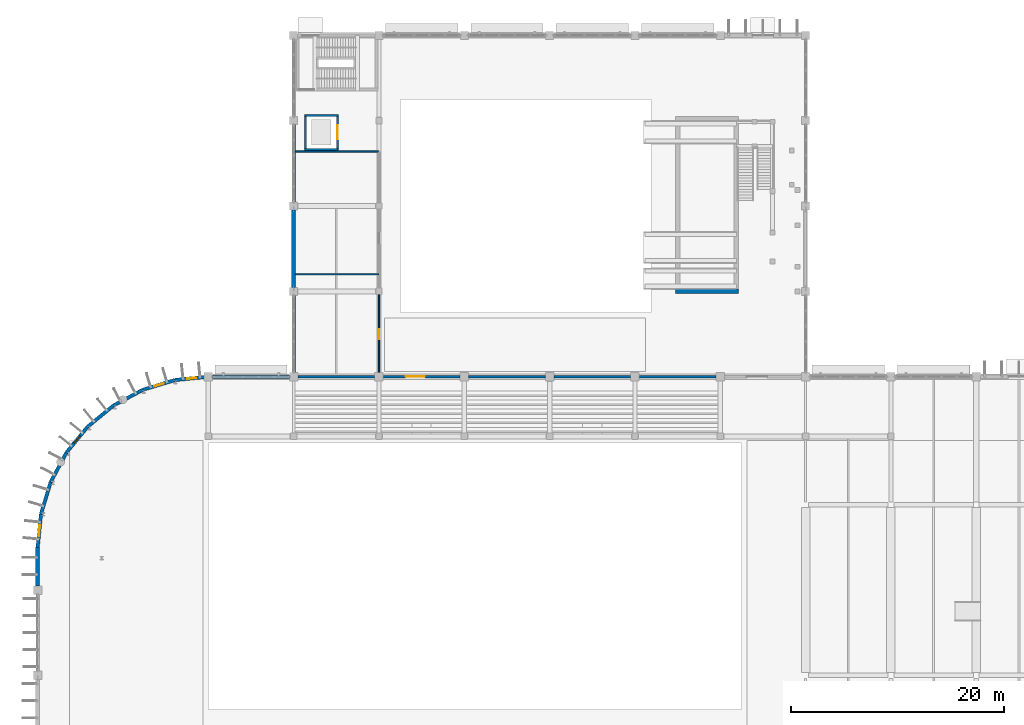
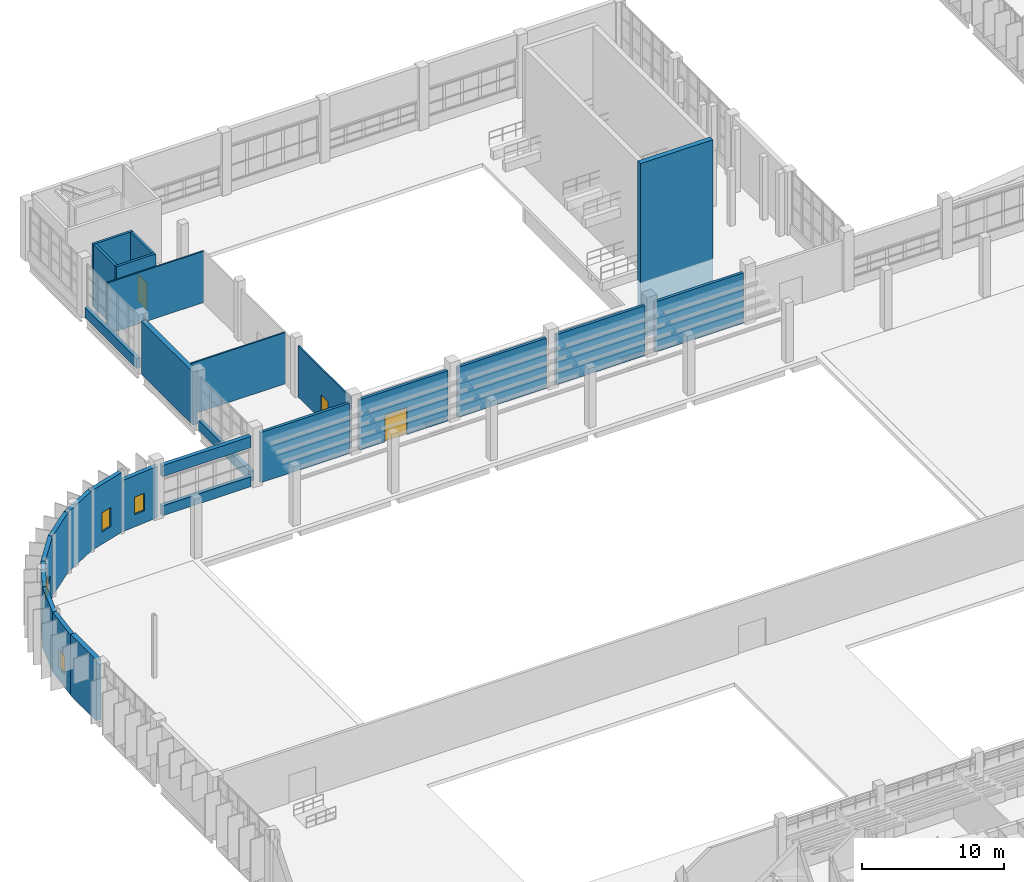
# One storey, part 76 of 103: 27 walls, 4 windows, 3 doors, 7 openings.
"""IFC4 building model written with IfcOpenShell, lengths in metres."""

from ifc_helpers import new_model, si_unit, direction, frame, frame_2d, origin, place, context, subcontext, project, spatial, rectangle, extrude, material, layer, layer_set, type_object, element, fill, save


model = new_model("IFC4")

# Units and contexts
model_context = context("Model", 3, precision=1e-05, world=origin(), true_north=direction((0.0, 1.0)))
body_context = subcontext(model_context, "Body", "Model", "MODEL_VIEW")
ifc_project = project(units=[si_unit("LENGTHUNIT", "METRE"), si_unit("AREAUNIT", "SQUARE_METRE"), si_unit("VOLUMEUNIT", "CUBIC_METRE"), si_unit("PLANEANGLEUNIT", "RADIAN"), si_unit("MASSUNIT", "GRAM", prefix="KILO")], contexts=[model_context])

# Site, building, storey
site_placement = place(None, origin())
site = spatial("IfcSite", under=ifc_project, at=site_placement, CompositionType="ELEMENT")
building_placement = place(site_placement, origin())
building = spatial("IfcBuilding", under=site, at=building_placement, Name="Drelvana Railside Aquatics Centre", CompositionType="ELEMENT")
storey_placement = place(building_placement, origin())
storey = spatial("IfcBuildingStorey", under=building, at=storey_placement, Name="L00", CompositionType="ELEMENT", Elevation=0.0)

# Wall
ifc_material_1 = material(Name="Autoclaved aerated concrete masonry", Category="masonry")
ifc_layer_1 = layer(ifc_material_1, 0.22509765625, Name="Autoclaved aerated concrete masonry")
ifc_layer_set_1 = layer_set([ifc_layer_1], Name="Autoclaved aerated concrete masonry")
wall_type_1 = type_object("IfcWallType", Name="WL-COMP-225", PredefinedType="STANDARD", material=ifc_layer_set_1)
wall_1_placement = place(storey_placement, frame((24.402099609375, 84.0, 0.0), z_axis=(0.0, 0.0, 1.0), x_axis=(1.0, 0.0, 0.0)))
element("IfcWall", 1, at=wall_1_placement, inside=storey, type_object=wall_type_1, Name="Pool-Diving Hall compartment wall", PredefinedType="STANDARD", context=body_context, shape_type="SweptSolid", body=[
    extrude(rectangle(XDim=7.19580078125, YDim=0.22509765625, at=frame_2d((3.597900390625, 0.0))), origin(), (0.0, 0.0, 1.0), 4.304931640625),
])

# Wall, opening, door
wall_2_placement = place(storey_placement, frame((32.402099609375, 84.0, 0.0), z_axis=(0.0, 0.0, 1.0), x_axis=(1.0, 0.0, 0.0)))
wall_2 = element("IfcWall", 2, at=wall_2_placement, inside=storey, type_object=wall_type_1, Name="Pool-Diving Hall compartment wall", PredefinedType="STANDARD", context=body_context, shape_type="SweptSolid", body=[
    extrude(rectangle(XDim=7.19580078125, YDim=0.22509765625, at=frame_2d((3.597900390625, 0.0))), origin(), (0.0, 0.0, 1.0), 4.304931640625),
])
opening_1_placement = place(wall_2_placement, frame((2.097900390625, 0.0, 0.0)))
opening_1 = element("IfcOpeningElement", 3, at=opening_1_placement, cuts=wall_2, Name="Opening D-05-096", PredefinedType="OPENING", context=body_context, shape_type="SweptSolid", body=[
    extrude(rectangle(XDim=1.800048828125, YDim=2.300048828125, at=frame_2d((0.89990234375, 1.14990234375))), frame((0.0, 0.12255859375, 0.0), z_axis=(0.0, -1.0, 0.0), x_axis=(1.0, 0.0, 0.0)), (0.0, 0.0, 1.0), 0.2451171875),
])
ifc_material_2 = material(Name="Corridor compartment double door", Category="wood")
door_type_1 = type_object("IfcDoorType", Name="DR-INT-COMP-1800x2300", OperationType="DOUBLE_DOOR_SINGLE_SWING", PredefinedType="DOOR", material=ifc_material_2)
door_1_placement = place(opening_1_placement, origin())
door_1 = element("IfcDoor", 4, at=door_1_placement, inside=storey, type_object=door_type_1, Name="Diving hall acoustic link door D-05-096", OperationType="DOUBLE_DOOR_SINGLE_SWING", OverallHeight=2.300048828125, OverallWidth=1.800048828125, PredefinedType="DOOR", context=body_context, shape_type="SweptSolid", body=[
    extrude(rectangle(XDim=1.800048828125, YDim=2.300048828125, at=frame_2d((0.89990234375, 1.14990234375))), frame((0.0, 0.02490234375, 0.0), z_axis=(0.0, -1.0, 0.0), x_axis=(1.0, 0.0, 0.0)), (0.0, 0.0, 1.0), 0.050048828125),
])
fill(opening_1, door_1)

# Walls
for number, where, z_axis, x_axis, name in (
    (5, (40.402099609375, 84.0, 0.0), (0.0, 0.0, 1.0), (1.0, 0.0, 0.0), "Pool-Diving Hall compartment wall"),
    (6, (48.402099609375, 84.0, 0.0), (0.0, 0.0, 1.0), (1.0, 0.0, 0.0), "Pool-Diving Hall compartment wall"),
    (7, (56.402099609375, 84.0, 0.0), (0.0, 0.0, 1.0), (1.0, 0.0, 0.0), "Pool-Diving Hall compartment wall"),
):
    element("IfcWall", number, at=place(storey_placement, frame(where, z_axis=z_axis, x_axis=x_axis)), inside=storey, type_object=wall_type_1, Name=name, PredefinedType="STANDARD", context=body_context, shape_type="SweptSolid", body=[
        extrude(rectangle(XDim=7.19580078125, YDim=0.22509765625, at=frame_2d((3.597900390625, 0.0))), origin(), (0.0, 0.0, 1.0), 4.304931640625),
    ])

# Wall, opening, door
ifc_material_3 = material(Name="Acoustic twin-stud gypsum partition", Category="gypsum")
ifc_layer_2 = layer(ifc_material_3, 0.1201171875, Name="Acoustic twin-stud gypsum partition")
ifc_layer_set_2 = layer_set([ifc_layer_2], Name="Acoustic twin-stud gypsum partition")
wall_type_2 = type_object("IfcWallType", Name="WL-DRY-120", PredefinedType="PARTITIONING", material=ifc_layer_set_2)
wall_3_placement = place(storey_placement, frame((32.0, 84.402099609375, 0.0), z_axis=(0.0, 0.0, 1.0), x_axis=(0.0, 1.0, 0.0)))
wall_3 = element("IfcWall", 8, at=wall_3_placement, inside=storey, type_object=wall_type_2, Name="Diving Hall west offices wall", PredefinedType="PARTITIONING", context=body_context, shape_type="SweptSolid", body=[
    extrude(rectangle(XDim=7.2958984375, YDim=0.1201171875, at=frame_2d((3.64794921875, 0.0))), origin(), (0.0, 0.0, 1.0), 4.405029296875),
])
opening_2_placement = place(wall_3_placement, frame((3.097900390625, 0.0, 0.0)))
opening_2 = element("IfcOpeningElement", 9, at=opening_2_placement, cuts=wall_3, Name="Opening D-10-134", PredefinedType="OPENING", context=body_context, shape_type="SweptSolid", body=[
    extrude(rectangle(XDim=0.949951171875, YDim=2.14990234375, at=frame_2d((0.47509765625, 1.074951171875))), frame((0.0, 0.070068359375, 0.0), z_axis=(0.0, -1.0, 0.0), x_axis=(1.0, 0.0, 0.0)), (0.0, 0.0, 1.0), 0.14013671875),
])
ifc_material_4 = material(Name="Timber veneer office door", Category="wood")
door_type_2 = type_object("IfcDoorType", Name="DR-INT-OFF-950x2150", OperationType="NOTDEFINED", PredefinedType="DOOR", material=ifc_material_4)
door_2_placement = place(opening_2_placement, origin())
door_2 = element("IfcDoor", 10, at=door_2_placement, inside=storey, type_object=door_type_2, Name="Dive Officials Room door D-10-134", OperationType="SINGLE_SWING_LEFT", OverallHeight=2.14990234375, OverallWidth=0.949951171875, PredefinedType="DOOR", context=body_context, shape_type="SweptSolid", body=[
    extrude(rectangle(XDim=0.949951171875, YDim=2.14990234375, at=frame_2d((0.47509765625, 1.074951171875))), frame((0.0, 0.02490234375, 0.0), z_axis=(0.0, -1.0, 0.0), x_axis=(1.0, 0.0, 0.0)), (0.0, 0.0, 1.0), 0.050048828125),
])
fill(opening_2, door_2)

# Walls
for number, where, z_axis, x_axis, name in (
    (11, (24.159912109375, 93.60009765625, 0.0), (0.0, 0.0, 1.0), (1.0, 0.0, 0.0), "Dive Officials-Timing divider"),
    (12, (24.159912109375, 105.10009765625, 0.0), (0.0, 0.0, 1.0), (1.0, 0.0, 0.0), "Timing Control north wall"),
):
    element("IfcWall", number, at=place(storey_placement, frame(where, z_axis=z_axis, x_axis=x_axis)), inside=storey, type_object=wall_type_2, Name=name, PredefinedType="PARTITIONING", context=body_context, shape_type="SweptSolid", body=[
        extrude(rectangle(XDim=7.840087890625, YDim=0.1201171875, at=frame_2d((3.919921875, 0.0))), origin(), (0.0, 0.0, 1.0), 4.405029296875),
    ])
ifc_material_5 = material(Name="Concrete C40/50", Category="concrete")
ifc_layer_3 = layer(ifc_material_5, 0.39990234375, Name="Concrete C40/50")
ifc_layer_set_3 = layer_set([ifc_layer_3], Name="Concrete C40/50")
wall_type_3 = type_object("IfcWallType", Name="WL-DV-400", PredefinedType="SHEAR", material=ifc_layer_set_3)
wall_4_placement = place(storey_placement, frame((59.800048828125, 92.0, -4.800048828125), z_axis=(0.0, 0.0, 1.0), x_axis=(1.0, 0.0, 0.0)))
element("IfcWall", 13, at=wall_4_placement, inside=storey, type_object=wall_type_3, Name="Diving platform tower S shear wall", PredefinedType="SHEAR", context=body_context, shape_type="SweptSolid", body=[
    extrude(rectangle(XDim=5.89990234375, YDim=0.39990234375, at=frame_2d((2.949951171875, 0.0))), origin(), (0.0, 0.0, 1.0), 15.0),
])
ifc_material_6 = material(Name="Terracotta rainscreen masonry wall", Category="masonry")
ifc_layer_4 = layer(ifc_material_6, 0.31005859375, Name="Terracotta rainscreen masonry wall")
ifc_layer_set_4 = layer_set([ifc_layer_4], Name="Terracotta rainscreen masonry wall")
wall_type_4 = type_object("IfcWallType", Name="WL-EXT-310", PredefinedType="STANDARD", material=ifc_layer_set_4)
wall_5_placement = place(storey_placement, frame((24.0, 84.39599609375, 0.0), z_axis=(0.0, 0.0, 1.0), x_axis=(0.0, 1.0, 0.0)))
element("IfcWall", 14, at=wall_5_placement, inside=storey, type_object=wall_type_4, Name="Diving Hall West plinth", PredefinedType="STANDARD", context=body_context, shape_type="SweptSolid", body=[
    extrude(rectangle(XDim=7.23291015625, YDim=0.31005859375, at=frame_2d((3.616455078125, 0.0))), origin(), (0.0, 0.0, 1.0), 0.85009765625),
])
wall_6_placement = place(storey_placement, frame((24.0, 100.37109375, 0.0), z_axis=(0.0, 0.0, 1.0), x_axis=(0.0, 1.0, 0.0)))
element("IfcWall", 15, at=wall_6_placement, inside=storey, type_object=wall_type_4, Name="Diving Hall West plinth", PredefinedType="STANDARD", context=body_context, shape_type="SweptSolid", body=[
    extrude(rectangle(XDim=7.2578125, YDim=0.31005859375, at=frame_2d((3.62890625, 0.0))), origin(), (0.0, 0.0, 1.0), 0.85009765625),
])
ifc_material_7 = material(Name="Abuja granite ashlar cavity wall", Category="masonry")
ifc_layer_5 = layer(ifc_material_7, 0.330078125, Name="Abuja granite ashlar cavity wall")
ifc_layer_set_5 = layer_set([ifc_layer_5], Name="Abuja granite ashlar cavity wall")
wall_type_5 = type_object("IfcWallType", Name="WL-EXT-330", PredefinedType="STANDARD", material=ifc_layer_set_5)
wall_7_placement = place(storey_placement, frame((16.39599609375, 84.0, 0.0), z_axis=(0.0, 0.0, 1.0), x_axis=(1.0, 0.0, 0.0)))
element("IfcWall", 16, at=wall_7_placement, inside=storey, type_object=wall_type_5, Name="V1N plinth wall 1", PredefinedType="STANDARD", context=body_context, shape_type="SweptSolid", body=[
    extrude(rectangle(XDim=7.2080078125, YDim=0.330078125, at=frame_2d((3.60400390625, 0.0))), origin(), (0.0, 0.0, 1.0), 0.85009765625),
])
wall_8_placement = place(storey_placement, frame((16.39599609375, 84.0, 3.35009765625), z_axis=(0.0, 0.0, 1.0), x_axis=(1.0, 0.0, 0.0)))
element("IfcWall", 17, at=wall_8_placement, inside=storey, type_object=wall_type_5, Name="V1N sine-wave spandrel 1", PredefinedType="STANDARD", context=body_context, shape_type="SweptSolid", body=[
    extrude(rectangle(XDim=7.2080078125, YDim=0.330078125, at=frame_2d((3.60400390625, 0.0))), origin(), (0.0, 0.0, 1.0), 0.954833984375),
])

# Wall, opening, window
wall_9_placement = place(storey_placement, frame((16.0, 84.0, 0.0), z_axis=(0.0, 0.0, 1.0), x_axis=(-0.995186340733, -0.098000751113, 0.0)))
wall_9 = element("IfcWall", 18, at=wall_9_placement, inside=storey, type_object=wall_type_5, Name="V1NW curved stone wall 1", PredefinedType="STANDARD", context=body_context, shape_type="SweptSolid", body=[
    extrude(rectangle(XDim=3.136474609375, YDim=0.330078125, at=frame_2d((1.568359375, 0.0))), origin(), (0.0, 0.0, 1.0), 4.405029296875),
])
opening_3_placement = place(wall_9_placement, frame((1.143310546875, 0.0, 1.050048828125)))
opening_3 = element("IfcOpeningElement", 19, at=opening_3_placement, cuts=wall_9, Name="Opening W-01", PredefinedType="OPENING", context=body_context, shape_type="SweptSolid", body=[
    extrude(rectangle(XDim=0.85009765625, YDim=1.5, at=frame_2d((0.425048828125, 0.75))), frame((0.0, 0.175048828125, 0.0), z_axis=(0.0, -1.0, 0.0), x_axis=(1.0, 0.0, 0.0)), (0.0, 0.0, 1.0), 0.35009765625),
])
ifc_material_8 = material(Name="Double-glazed solar-control aluminium window", Category="aluminium")
window_type_1 = type_object("IfcWindowType", Name="WIN-01", PartitioningType="SINGLE_PANEL", PredefinedType="WINDOW", material=ifc_material_8)
window_1_placement = place(opening_3_placement, origin())
window_1 = element("IfcWindow", 20, at=window_1_placement, inside=storey, type_object=window_type_1, Name="Curved corner window WIN-01", OverallHeight=1.5, OverallWidth=0.85009765625, PartitioningType="SINGLE_PANEL", PredefinedType="WINDOW", context=body_context, shape_type="SweptSolid", body=[
    extrude(rectangle(XDim=0.85009765625, YDim=1.5, at=frame_2d((0.425048828125, 0.75))), frame((0.0, 0.030029296875, 0.0), z_axis=(0.0, -1.0, 0.0), x_axis=(1.0, 0.0, 0.0)), (0.0, 0.0, 1.0), 0.06005859375),
])
fill(opening_3, window_1)

wall_10_placement = place(storey_placement, frame((12.878662109375, 83.692626953125, 0.0), z_axis=(0.0, 0.0, 1.0), x_axis=(-0.956932713703, -0.29030980253, 0.0)))
wall_10 = element("IfcWall", 21, at=wall_10_placement, inside=storey, type_object=wall_type_5, Name="V1NW curved stone wall 2", PredefinedType="STANDARD", context=body_context, shape_type="SweptSolid", body=[
    extrude(rectangle(XDim=3.13671875, YDim=0.330078125, at=frame_2d((1.568359375, 0.0))), origin(), (0.0, 0.0, 1.0), 5.1298828125),
])
opening_4_placement = place(wall_10_placement, frame((1.118408203125, 0.0, 1.050048828125)))
opening_4 = element("IfcOpeningElement", 22, at=opening_4_placement, cuts=wall_10, Name="Opening W-02", PredefinedType="OPENING", context=body_context, shape_type="SweptSolid", body=[
    extrude(rectangle(XDim=0.89990234375, YDim=1.64990234375, at=frame_2d((0.449951171875, 0.824951171875))), frame((0.0, 0.175048828125, 0.0), z_axis=(0.0, -1.0, 0.0), x_axis=(1.0, 0.0, 0.0)), (0.0, 0.0, 1.0), 0.35009765625),
])
window_type_2 = type_object("IfcWindowType", Name="WIN-02", PartitioningType="SINGLE_PANEL", PredefinedType="WINDOW", material=ifc_material_8)
window_2_placement = place(opening_4_placement, origin())
window_2 = element("IfcWindow", 23, at=window_2_placement, inside=storey, type_object=window_type_2, Name="Curved corner window WIN-02", OverallHeight=1.64990234375, OverallWidth=0.89990234375, PartitioningType="SINGLE_PANEL", PredefinedType="WINDOW", context=body_context, shape_type="SweptSolid", body=[
    extrude(rectangle(XDim=0.89990234375, YDim=1.64990234375, at=frame_2d((0.449951171875, 0.824951171875))), frame((0.0, 0.030029296875, 0.0), z_axis=(0.0, -1.0, 0.0), x_axis=(1.0, 0.0, 0.0)), (0.0, 0.0, 1.0), 0.06005859375),
])
fill(opening_4, window_2)

# Walls
for number, where, z_axis, x_axis, name in (
    (24, (9.876953125, 82.781982421875, 0.0), (0.0, 0.0, 1.0), (-0.881921625826, -0.471396060548, 0.0), "V1NW curved stone wall 3"),
    (25, (7.11083984375, 81.303466796875, 0.0), (0.0, 0.0, 1.0), (-0.773016601683, -0.634385792339, 0.0), "V1NW curved stone wall 4"),
):
    element("IfcWall", number, at=place(storey_placement, frame(where, z_axis=z_axis, x_axis=x_axis)), inside=storey, type_object=wall_type_5, Name=name, PredefinedType="STANDARD", context=body_context, shape_type="SweptSolid", body=[
        extrude(rectangle(XDim=3.136474609375, YDim=0.330078125, at=frame_2d((1.568359375, 0.0))), origin(), (0.0, 0.0, 1.0), 5.1298828125),
    ])

# Wall, opening, window
wall_11_placement = place(storey_placement, frame((4.686279296875, 79.313720703125, 0.0), z_axis=(0.0, 0.0, 1.0), x_axis=(-0.634385792339, -0.773016601683, 0.0)))
wall_11 = element("IfcWall", 26, at=wall_11_placement, inside=storey, type_object=wall_type_5, Name="V1NW curved stone wall 5", PredefinedType="STANDARD", context=body_context, shape_type="SweptSolid", body=[
    extrude(rectangle(XDim=3.136474609375, YDim=0.330078125, at=frame_2d((1.568359375, 0.0))), origin(), (0.0, 0.0, 1.0), 5.1298828125),
])
opening_5_placement = place(wall_11_placement, frame((1.143310546875, 0.0, 1.050048828125)))
opening_5 = element("IfcOpeningElement", 27, at=opening_5_placement, cuts=wall_11, Name="Opening W-01", PredefinedType="OPENING", context=body_context, shape_type="SweptSolid", body=[
    extrude(rectangle(XDim=0.85009765625, YDim=1.5, at=frame_2d((0.425048828125, 0.75))), frame((0.0, 0.175048828125, 0.0), z_axis=(0.0, -1.0, 0.0), x_axis=(1.0, 0.0, 0.0)), (0.0, 0.0, 1.0), 0.35009765625),
])
window_3_placement = place(opening_5_placement, origin())
window_3 = element("IfcWindow", 28, at=window_3_placement, inside=storey, type_object=window_type_1, Name="Curved corner window WIN-01", OverallHeight=1.5, OverallWidth=0.85009765625, PartitioningType="SINGLE_PANEL", PredefinedType="WINDOW", context=body_context, shape_type="SweptSolid", body=[
    extrude(rectangle(XDim=0.85009765625, YDim=1.5, at=frame_2d((0.425048828125, 0.75))), frame((0.0, 0.030029296875, 0.0), z_axis=(0.0, -1.0, 0.0), x_axis=(1.0, 0.0, 0.0)), (0.0, 0.0, 1.0), 0.06005859375),
])
fill(opening_5, window_3)

# Walls
wall_12_placement = place(storey_placement, frame((2.696533203125, 76.88916015625, 0.0), z_axis=(0.0, 0.0, 1.0), x_axis=(-0.471396060548, -0.881921625826, 0.0)))
element("IfcWall", 29, at=wall_12_placement, inside=storey, type_object=wall_type_5, Name="V1NW curved stone wall 6", PredefinedType="STANDARD", context=body_context, shape_type="SweptSolid", body=[
    extrude(rectangle(XDim=3.136474609375, YDim=0.330078125, at=frame_2d((1.568359375, 0.0))), origin(), (0.0, 0.0, 1.0), 5.1298828125),
])
wall_13_placement = place(storey_placement, frame((1.218017578125, 74.123046875, 0.0), z_axis=(0.0, 0.0, 1.0), x_axis=(-0.29030980253, -0.956932713703, 0.0)))
element("IfcWall", 30, at=wall_13_placement, inside=storey, type_object=wall_type_5, Name="V1NW curved stone wall 7", PredefinedType="STANDARD", context=body_context, shape_type="SweptSolid", body=[
    extrude(rectangle(XDim=3.13671875, YDim=0.330078125, at=frame_2d((1.568359375, 0.0))), origin(), (0.0, 0.0, 1.0), 5.1298828125),
])

# Wall, opening, window
wall_14_placement = place(storey_placement, frame((0.307373046875, 71.121337890625, 0.0), z_axis=(0.0, 0.0, 1.0), x_axis=(-0.098000751113, -0.995186340733, 0.0)))
wall_14 = element("IfcWall", 31, at=wall_14_placement, inside=storey, type_object=wall_type_5, Name="V1NW curved stone wall 8", PredefinedType="STANDARD", context=body_context, shape_type="SweptSolid", body=[
    extrude(rectangle(XDim=3.136474609375, YDim=0.330078125, at=frame_2d((1.568359375, 0.0))), origin(), (0.0, 0.0, 1.0), 5.1298828125),
])
opening_6_placement = place(wall_14_placement, frame((1.068359375, 0.0, 1.050048828125)))
opening_6 = element("IfcOpeningElement", 32, at=opening_6_placement, cuts=wall_14, Name="Opening W-04", PredefinedType="OPENING", context=body_context, shape_type="SweptSolid", body=[
    extrude(rectangle(XDim=1.0, YDim=1.60009765625, at=frame_2d((0.5, 0.800048828125))), frame((0.0, 0.175048828125, 0.0), z_axis=(0.0, -1.0, 0.0), x_axis=(1.0, 0.0, 0.0)), (0.0, 0.0, 1.0), 0.35009765625),
])
window_type_3 = type_object("IfcWindowType", Name="WIN-04", PartitioningType="SINGLE_PANEL", PredefinedType="WINDOW", material=ifc_material_8)
window_4_placement = place(opening_6_placement, origin())
window_4 = element("IfcWindow", 33, at=window_4_placement, inside=storey, type_object=window_type_3, Name="Curved corner window WIN-04", OverallHeight=1.60009765625, OverallWidth=1.0, PartitioningType="SINGLE_PANEL", PredefinedType="WINDOW", context=body_context, shape_type="SweptSolid", body=[
    extrude(rectangle(XDim=1.0, YDim=1.60009765625, at=frame_2d((0.5, 0.800048828125))), frame((0.0, 0.030029296875, 0.0), z_axis=(0.0, -1.0, 0.0), x_axis=(1.0, 0.0, 0.0)), (0.0, 0.0, 1.0), 0.06005859375),
])
fill(opening_6, window_4)

# Walls
ifc_material_9 = material(Name="Heavy thermal-mass stone facade wall", Category="masonry")
ifc_layer_6 = layer(ifc_material_9, 0.389892578125, Name="Heavy thermal-mass stone facade wall")
ifc_layer_set_6 = layer_set([ifc_layer_6], Name="Heavy thermal-mass stone facade wall")
wall_type_6 = type_object("IfcWallType", Name="WL-EXT-390", PredefinedType="STANDARD", material=ifc_layer_set_6)
wall_15_placement = place(storey_placement, frame((0.0, 64.39599609375, 0.0), z_axis=(0.0, 0.0, 1.0), x_axis=(0.0, 1.0, 0.0)))
element("IfcWall", 34, at=wall_15_placement, inside=storey, type_object=wall_type_6, Name="V1 West solid masonry bay 64", PredefinedType="STANDARD", context=body_context, shape_type="SweptSolid", body=[
    extrude(rectangle(XDim=3.6240234375, YDim=0.389892578125, at=frame_2d((1.81201171875, 0.0))), origin(), (0.0, 0.0, 1.0), 5.25),
])
wall_16_placement = place(storey_placement, frame((24.0, 92.37109375, 0.0), z_axis=(0.0, 0.0, 1.0), x_axis=(0.0, 1.0, 0.0)))
element("IfcWall", 35, at=wall_16_placement, inside=storey, type_object=wall_type_6, Name="Diving Hall West braced bay wall", PredefinedType="STANDARD", context=body_context, shape_type="SweptSolid", body=[
    extrude(rectangle(XDim=7.2578125, YDim=0.389892578125, at=frame_2d((3.62890625, 0.0))), origin(), (0.0, 0.0, 1.0), 4.554931640625),
])
ifc_layer_7 = layer(ifc_material_5, 0.199951171875, Name="Concrete C40/50")
ifc_layer_set_7 = layer_set([ifc_layer_7], Name="Concrete C40/50")
wall_type_7 = type_object("IfcWallType", Name="WL-SHFT-200", PredefinedType="SHEAR", material=ifc_layer_set_7)
for number, where, z_axis, x_axis, name in (
    (36, (25.0, 105.300048828125, 0.0), (0.0, 0.0, 1.0), (1.0, 0.0, 0.0), "Lift LG-01 S shaft wall (L00)"),
    (37, (25.0, 108.5, 0.0), (0.0, 0.0, 1.0), (1.0, 0.0, 0.0), "Lift LG-01 N shaft wall (L00)"),
):
    element("IfcWall", number, at=place(storey_placement, frame(where, z_axis=z_axis, x_axis=x_axis)), inside=storey, type_object=wall_type_7, Name=name, PredefinedType="SHEAR", context=body_context, shape_type="SweptSolid", body=[
        extrude(rectangle(XDim=3.199951171875, YDim=0.199951171875, at=frame_2d((1.60009765625, 0.0))), origin(), (0.0, 0.0, 1.0), 5.39990234375),
    ])
wall_17_placement = place(storey_placement, frame((25.10009765625, 105.39990234375, 0.0), z_axis=(0.0, 0.0, 1.0), x_axis=(0.0, 1.0, 0.0)))
element("IfcWall", 38, at=wall_17_placement, inside=storey, type_object=wall_type_7, Name="Lift LG-01 W shaft wall (L00)", PredefinedType="SHEAR", context=body_context, shape_type="SweptSolid", body=[
    extrude(rectangle(XDim=3.0, YDim=0.199951171875, at=frame_2d((1.5, 0.0))), origin(), (0.0, 0.0, 1.0), 5.39990234375),
])

# Wall, opening, door
wall_18_placement = place(storey_placement, frame((28.10009765625, 105.39990234375, 0.0), z_axis=(0.0, 0.0, 1.0), x_axis=(0.0, 1.0, 0.0)))
wall_18 = element("IfcWall", 39, at=wall_18_placement, inside=storey, type_object=wall_type_7, Name="Lift LG-01 E shaft wall (L00)", PredefinedType="SHEAR", context=body_context, shape_type="SweptSolid", body=[
    extrude(rectangle(XDim=3.0, YDim=0.199951171875, at=frame_2d((1.5, 0.0))), origin(), (0.0, 0.0, 1.0), 5.39990234375),
])
opening_7_placement = place(wall_18_placement, frame((0.85009765625, 0.0, 0.0)))
opening_7 = element("IfcOpeningElement", 40, at=opening_7_placement, cuts=wall_18, Name="Opening LD-02-022", PredefinedType="OPENING", context=body_context, shape_type="SweptSolid", body=[
    extrude(rectangle(XDim=1.300048828125, YDim=2.300048828125, at=frame_2d((0.64990234375, 1.14990234375))), frame((0.0, 0.10986328125, 0.0), z_axis=(0.0, -1.0, 0.0), x_axis=(1.0, 0.0, 0.0)), (0.0, 0.0, 1.0), 0.219970703125),
])
ifc_material_10 = material(Name="Firefighting & goods lift sliding door", Category="wood")
door_type_3 = type_object("IfcDoorType", Name="DR-LIFT-LD-1300x2300", OperationType="SLIDING_TO_RIGHT", PredefinedType="DOOR", material=ifc_material_10)
door_3_placement = place(opening_7_placement, origin())
door_3 = element("IfcDoor", 41, at=door_3_placement, inside=storey, type_object=door_type_3, Name="Lift LG-01 landing door LD-02-022", OperationType="SLIDING_TO_RIGHT", OverallHeight=2.300048828125, OverallWidth=1.300048828125, PredefinedType="DOOR", context=body_context, shape_type="SweptSolid", body=[
    extrude(rectangle(XDim=1.300048828125, YDim=2.300048828125, at=frame_2d((0.64990234375, 1.14990234375))), frame((0.0, 0.02490234375, 0.0), z_axis=(0.0, -1.0, 0.0), x_axis=(1.0, 0.0, 0.0)), (0.0, 0.0, 1.0), 0.050048828125),
])
fill(opening_7, door_3)

save(model, "model.ifc")
